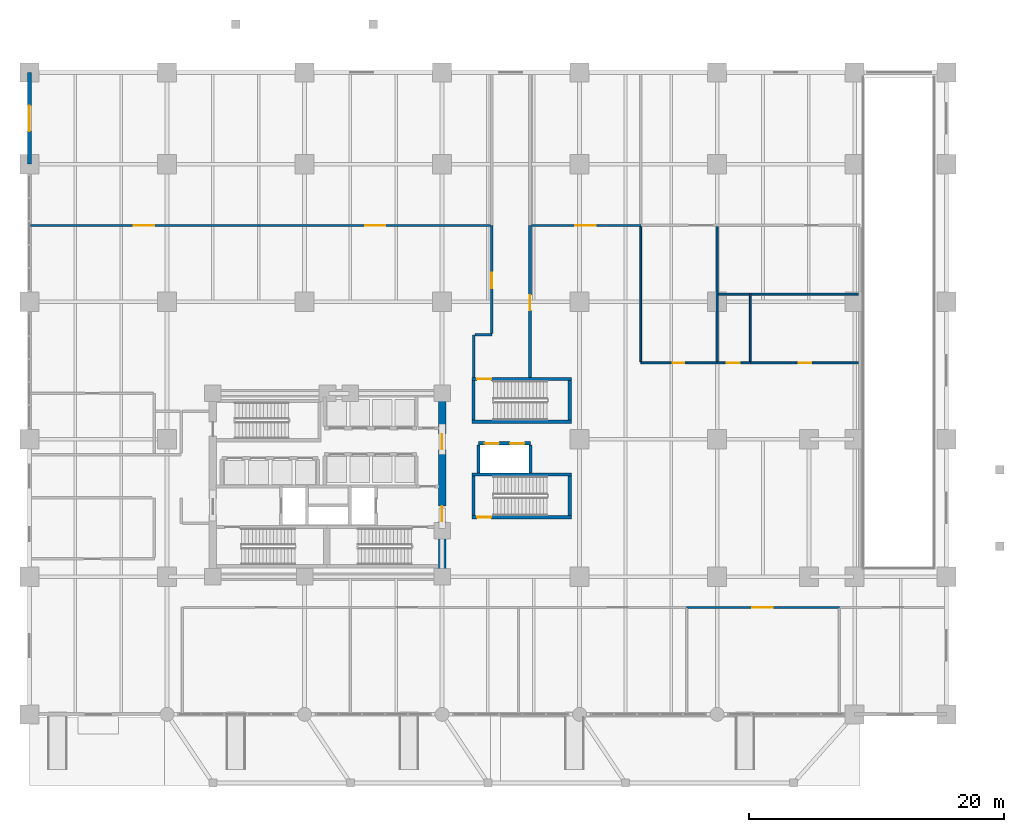
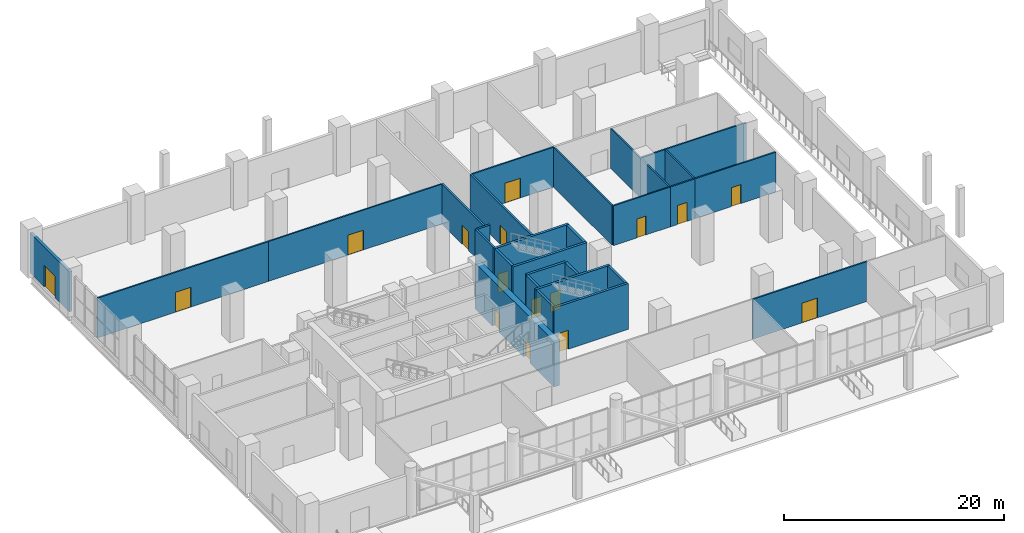
# One storey, part 15 of 22: 28 walls, 16 doors, 16 openings.
"""IFC4 building model written with IfcOpenShell, lengths in metres."""

from ifc_helpers import new_model, si_unit, direction, frame, frame_2d, origin, place, context, subcontext, project, spatial, rectangle, extrude, material, layer, layer_set, type_object, element, fill, save


model = new_model("IFC4")

# Units and contexts
model_context = context("Model", 3, precision=1e-05, world=origin(), true_north=direction((0.0, 1.0)))
body_context = subcontext(model_context, "Body", "Model", "MODEL_VIEW")
ifc_project = project(units=[si_unit("LENGTHUNIT", "METRE"), si_unit("AREAUNIT", "SQUARE_METRE"), si_unit("VOLUMEUNIT", "CUBIC_METRE"), si_unit("PLANEANGLEUNIT", "RADIAN"), si_unit("MASSUNIT", "GRAM", prefix="KILO")], contexts=[model_context])

# Site, building, storey
site_placement = place(None, origin())
site = spatial("IfcSite", under=ifc_project, at=site_placement, CompositionType="ELEMENT")
building_placement = place(site_placement, origin())
building = spatial("IfcBuilding", under=site, at=building_placement, Name="Solnavia Interchange Tower", CompositionType="ELEMENT")
storey_placement = place(building_placement, origin())
storey = spatial("IfcBuildingStorey", under=building, at=storey_placement, Name="L00", CompositionType="ELEMENT", Elevation=0.0)

# Wall, opening, door
ifc_material_1 = material(Name="Concrete C40/50", Category="concrete")
ifc_layer_1 = layer(ifc_material_1, 0.300048828125)
ifc_layer_set_1 = layer_set([ifc_layer_1], Name="Concrete C40/50")
wall_type_1 = type_object("IfcWallType", Name="Wall-ExtSpandrel-300", PredefinedType="STANDARD", material=ifc_layer_set_1)
wall_1_placement = place(storey_placement, frame((0.0, 43.199951171875, 0.0), z_axis=(0.0, 0.0, 1.0), x_axis=(0.0, 1.0, 0.0)))
wall_1 = element("IfcWall", 1, at=wall_1_placement, inside=storey, type_object=wall_type_1, Name="EXW-L00-WN North-west bus hall wall", PredefinedType="STANDARD", context=body_context, shape_type="SweptSolid", body=[
    extrude(rectangle(XDim=7.199951171875, YDim=0.300048828125, at=frame_2d((3.60009765625, 0.0))), origin(), (0.0, 0.0, 1.0), 4.429931640625),
])
opening_1_placement = place(wall_1_placement, frame((2.60009765625, 0.0, 0.0)))
opening_1 = element("IfcOpeningElement", 2, at=opening_1_placement, cuts=wall_1, Name="Opening EXD-01", PredefinedType="OPENING", context=body_context, shape_type="SweptSolid", body=[
    extrude(rectangle(XDim=2.0, YDim=2.39990234375, at=frame_2d((1.0, 1.199951171875))), frame((0.0, 0.16015625, 0.0), z_axis=(0.0, -1.0, 0.0), x_axis=(1.0, 0.0, 0.0)), (0.0, 0.0, 1.0), 0.320068359375),
])
ifc_material_2 = material(Name="Thermally Broken Aluminium & Laminated Glass", Category="aluminium")
door_type_1 = type_object("IfcDoorType", Name="Door-Entrance-2000x2400", OperationType="DOUBLE_DOOR_SINGLE_SWING", PredefinedType="DOOR", material=ifc_material_2)
door_1_placement = place(opening_1_placement, origin())
door_1 = element("IfcDoor", 3, at=door_1_placement, inside=storey, type_object=door_type_1, Name="EXD-L00-BUSW Bus concourse west entrance door", OperationType="SINGLE_SWING_LEFT", OverallHeight=2.39990234375, OverallWidth=2.0, PredefinedType="DOOR", context=body_context, shape_type="SweptSolid", body=[
    extrude(rectangle(XDim=2.0, YDim=2.39990234375, at=frame_2d((1.0, 1.199951171875))), frame((0.0, 0.02490234375, 0.0), z_axis=(0.0, -1.0, 0.0), x_axis=(1.0, 0.0, 0.0)), (0.0, 0.0, 1.0), 0.050048828125),
])
fill(opening_1, door_1)

ifc_material_3 = material(Name="Gypsum Plasterboard & Steel Stud", Category="steel")
ifc_layer_2 = layer(ifc_material_3, 0.14990234375)
ifc_layer_set_2 = layer_set([ifc_layer_2], Name="Gypsum Plasterboard & Steel Stud")
wall_type_2 = type_object("IfcWallType", Name="Wall-Partition-150", PredefinedType="PARTITIONING", material=ifc_layer_set_2)
wall_2_placement = place(storey_placement, frame((51.60009765625, 8.39990234375, 0.0), z_axis=(0.0, 0.0, 1.0), x_axis=(1.0, 0.0, 0.0)))
wall_2 = element("IfcWall", 4, at=wall_2_placement, inside=storey, type_object=wall_type_2, Name="PTW-L00-08 Interior partition wall", PredefinedType="PARTITIONING", context=body_context, shape_type="SweptSolid", body=[
    extrude(rectangle(XDim=12.0, YDim=0.14990234375, at=frame_2d((6.0, 0.0))), origin(), (0.0, 0.0, 1.0), 4.429931640625),
])
opening_2_placement = place(wall_2_placement, frame((5.159912109375, 0.0, 0.0)))
opening_2 = element("IfcOpeningElement", 5, at=opening_2_placement, cuts=wall_2, Name="Opening DR-08", PredefinedType="OPENING", context=body_context, shape_type="SweptSolid", body=[
    extrude(rectangle(XDim=1.60009765625, YDim=2.199951171875, at=frame_2d((0.800048828125, 1.10009765625))), frame((0.0, 0.0849609375, 0.0), z_axis=(0.0, -1.0, 0.0), x_axis=(1.0, 0.0, 0.0)), (0.0, 0.0, 1.0), 0.169921875),
])
ifc_material_4 = material(Name="Thermally Broken Aluminium & Toughened Glass", Category="aluminium")
door_type_2 = type_object("IfcDoorType", Name="Door-RetailDouble-1600x2200", OperationType="DOUBLE_DOOR_SINGLE_SWING", PredefinedType="DOOR", material=ifc_material_4)
door_2_placement = place(opening_2_placement, origin())
door_2 = element("IfcDoor", 6, at=door_2_placement, inside=storey, type_object=door_type_2, Name="DR-L00-04 Interior room door", OperationType="DOUBLE_DOOR_SINGLE_SWING", OverallHeight=2.199951171875, OverallWidth=1.60009765625, PredefinedType="DOOR", context=body_context, shape_type="SweptSolid", body=[
    extrude(rectangle(XDim=1.60009765625, YDim=2.199951171875, at=frame_2d((0.800048828125, 1.10009765625))), frame((0.0, 0.02490234375, 0.0), z_axis=(0.0, -1.0, 0.0), x_axis=(1.0, 0.0, 0.0)), (0.0, 0.0, 1.0), 0.050048828125),
])
fill(opening_2, door_2)

wall_3_placement = place(storey_placement, frame((0.0, 38.39990234375, 0.0), z_axis=(0.0, 0.0, 1.0), x_axis=(1.0, 0.0, 0.0)))
wall_3 = element("IfcWall", 7, at=wall_3_placement, inside=storey, type_object=wall_type_2, Name="PTW-L00-28 Interior partition wall", PredefinedType="PARTITIONING", context=body_context, shape_type="SweptSolid", body=[
    extrude(rectangle(XDim=18.0, YDim=0.14990234375, at=frame_2d((9.0, 0.0))), origin(), (0.0, 0.0, 1.0), 4.429931640625),
])
opening_3_placement = place(wall_3_placement, frame((8.199951171875, 0.0, 0.0)))
opening_3 = element("IfcOpeningElement", 8, at=opening_3_placement, cuts=wall_3, Name="Opening DR-08", PredefinedType="OPENING", context=body_context, shape_type="SweptSolid", body=[
    extrude(rectangle(XDim=1.60009765625, YDim=2.199951171875, at=frame_2d((0.800048828125, 1.10009765625))), frame((0.0, 0.0849609375, 0.0), z_axis=(0.0, -1.0, 0.0), x_axis=(1.0, 0.0, 0.0)), (0.0, 0.0, 1.0), 0.169921875),
])
door_3_placement = place(opening_3_placement, origin())
door_3 = element("IfcDoor", 9, at=door_3_placement, inside=storey, type_object=door_type_2, Name="DR-L00-10 Interior room door", OperationType="DOUBLE_DOOR_SINGLE_SWING", OverallHeight=2.199951171875, OverallWidth=1.60009765625, PredefinedType="DOOR", context=body_context, shape_type="SweptSolid", body=[
    extrude(rectangle(XDim=1.60009765625, YDim=2.199951171875, at=frame_2d((0.800048828125, 1.10009765625))), frame((0.0, 0.02490234375, 0.0), z_axis=(0.0, -1.0, 0.0), x_axis=(1.0, 0.0, 0.0)), (0.0, 0.0, 1.0), 0.050048828125),
])
fill(opening_3, door_3)

wall_4_placement = place(storey_placement, frame((18.0, 38.39990234375, 0.0), z_axis=(0.0, 0.0, 1.0), x_axis=(1.0, 0.0, 0.0)))
wall_4 = element("IfcWall", 10, at=wall_4_placement, inside=storey, type_object=wall_type_2, Name="PTW-L00-29 Interior partition wall", PredefinedType="PARTITIONING", context=body_context, shape_type="SweptSolid", body=[
    extrude(rectangle(XDim=18.196044921875, YDim=0.14990234375, at=frame_2d((9.09814453125, 0.0))), origin(), (0.0, 0.0, 1.0), 4.429931640625),
])
opening_4_placement = place(wall_4_placement, frame((8.35009765625, 0.0, 0.0)))
opening_4 = element("IfcOpeningElement", 11, at=opening_4_placement, cuts=wall_4, Name="Opening DR-08", PredefinedType="OPENING", context=body_context, shape_type="SweptSolid", body=[
    extrude(rectangle(XDim=1.60009765625, YDim=2.199951171875, at=frame_2d((0.800048828125, 1.10009765625))), frame((0.0, 0.0849609375, 0.0), z_axis=(0.0, -1.0, 0.0), x_axis=(1.0, 0.0, 0.0)), (0.0, 0.0, 1.0), 0.169921875),
])
door_4_placement = place(opening_4_placement, origin())
door_4 = element("IfcDoor", 12, at=door_4_placement, inside=storey, type_object=door_type_2, Name="DR-L00-11 Interior room door", OperationType="DOUBLE_DOOR_SINGLE_SWING", OverallHeight=2.199951171875, OverallWidth=1.60009765625, PredefinedType="DOOR", context=body_context, shape_type="SweptSolid", body=[
    extrude(rectangle(XDim=1.60009765625, YDim=2.199951171875, at=frame_2d((0.800048828125, 1.10009765625))), frame((0.0, 0.02490234375, 0.0), z_axis=(0.0, -1.0, 0.0), x_axis=(1.0, 0.0, 0.0)), (0.0, 0.0, 1.0), 0.050048828125),
])
fill(opening_4, door_4)

wall_5_placement = place(storey_placement, frame((39.404052734375, 38.39990234375, 0.0), z_axis=(0.0, 0.0, 1.0), x_axis=(1.0, 0.0, 0.0)))
wall_5 = element("IfcWall", 13, at=wall_5_placement, inside=storey, type_object=wall_type_2, Name="PTW-L00-30 Interior partition wall", PredefinedType="PARTITIONING", context=body_context, shape_type="SweptSolid", body=[
    extrude(rectangle(XDim=8.595947265625, YDim=0.14990234375, at=frame_2d((4.2978515625, 0.0))), origin(), (0.0, 0.0, 1.0), 4.429931640625),
])
opening_5_placement = place(wall_5_placement, frame((3.446044921875, 0.0, 0.0)))
opening_5 = element("IfcOpeningElement", 14, at=opening_5_placement, cuts=wall_5, Name="Opening DR-08", PredefinedType="OPENING", context=body_context, shape_type="SweptSolid", body=[
    extrude(rectangle(XDim=1.60009765625, YDim=2.199951171875, at=frame_2d((0.800048828125, 1.10009765625))), frame((0.0, 0.0849609375, 0.0), z_axis=(0.0, -1.0, 0.0), x_axis=(1.0, 0.0, 0.0)), (0.0, 0.0, 1.0), 0.169921875),
])
door_5_placement = place(opening_5_placement, origin())
door_5 = element("IfcDoor", 15, at=door_5_placement, inside=storey, type_object=door_type_2, Name="DR-L00-12 Interior room door", OperationType="DOUBLE_DOOR_SINGLE_SWING", OverallHeight=2.199951171875, OverallWidth=1.60009765625, PredefinedType="DOOR", context=body_context, shape_type="SweptSolid", body=[
    extrude(rectangle(XDim=1.60009765625, YDim=2.199951171875, at=frame_2d((0.800048828125, 1.10009765625))), frame((0.0, 0.02490234375, 0.0), z_axis=(0.0, -1.0, 0.0), x_axis=(1.0, 0.0, 0.0)), (0.0, 0.0, 1.0), 0.050048828125),
])
fill(opening_5, door_5)

wall_6_placement = place(storey_placement, frame((56.60009765625, 27.60009765625, 0.0), z_axis=(0.0, 0.0, 1.0), x_axis=(1.0, 0.0, 0.0)))
wall_6 = element("IfcWall", 16, at=wall_6_placement, inside=storey, type_object=wall_type_2, Name="PTW-L00-37 Interior partition wall", PredefinedType="PARTITIONING", context=body_context, shape_type="SweptSolid", body=[
    extrude(rectangle(XDim=8.495849609375, YDim=0.14990234375, at=frame_2d((4.248046875, 0.0))), origin(), (0.0, 0.0, 1.0), 4.429931640625),
])
opening_6_placement = place(wall_6_placement, frame((3.800048828125, 0.0, 0.0)))
opening_6 = element("IfcOpeningElement", 17, at=opening_6_placement, cuts=wall_6, Name="Opening DR-07", PredefinedType="OPENING", context=body_context, shape_type="SweptSolid", body=[
    extrude(rectangle(XDim=1.0, YDim=2.10009765625, at=frame_2d((0.5, 1.050048828125))), frame((0.0, 0.0849609375, 0.0), z_axis=(0.0, -1.0, 0.0), x_axis=(1.0, 0.0, 0.0)), (0.0, 0.0, 1.0), 0.169921875),
])
ifc_material_5 = material(Name="Timber & Acoustic Glazed Office Door", Category="wood")
door_type_3 = type_object("IfcDoorType", Name="Door-Office-1000x2100", OperationType="SINGLE_SWING_RIGHT", PredefinedType="DOOR", material=ifc_material_5)
door_6_placement = place(opening_6_placement, origin())
door_6 = element("IfcDoor", 18, at=door_6_placement, inside=storey, type_object=door_type_3, Name="DR-L00-17 Interior room door", OperationType="SINGLE_SWING_LEFT", OverallHeight=2.10009765625, OverallWidth=1.0, PredefinedType="DOOR", context=body_context, shape_type="SweptSolid", body=[
    extrude(rectangle(XDim=1.0, YDim=2.10009765625, at=frame_2d((0.5, 1.050048828125))), frame((0.0, 0.02490234375, 0.0), z_axis=(0.0, -1.0, 0.0), x_axis=(1.0, 0.0, 0.0)), (0.0, 0.0, 1.0), 0.050048828125),
])
fill(opening_6, door_6)

# Walls
wall_7_placement = place(storey_placement, frame((54.0791015625, 33.0, 0.0), z_axis=(0.0, 0.0, 1.0), x_axis=(1.0, 0.0, 0.0)))
element("IfcWall", 19, at=wall_7_placement, inside=storey, type_object=wall_type_2, Name="PTW-L00-41 Interior partition wall", PredefinedType="PARTITIONING", context=body_context, shape_type="SweptSolid", body=[
    extrude(rectangle(XDim=11.016845703125, YDim=0.14990234375, at=frame_2d((5.50830078125, 0.0))), origin(), (0.0, 0.0, 1.0), 4.429931640625),
])
ifc_layer_3 = layer(ifc_material_1, 0.199951171875)
ifc_layer_set_3 = layer_set([ifc_layer_3], Name="Concrete C40/50")
wall_type_3 = type_object("IfcWallType", Name="Wall-PlantFire-200", PredefinedType="PARTITIONING", material=ifc_layer_set_3)
wall_8_placement = place(storey_placement, frame((34.875, 26.4541015625, 0.0), z_axis=(0.0, 0.0, 1.0), x_axis=(0.0, 1.0, 0.0)))
element("IfcWall", 20, at=wall_8_placement, inside=storey, type_object=wall_type_3, Name="PTW-L00-22 Interior partition wall", PredefinedType="PARTITIONING", context=body_context, shape_type="SweptSolid", body=[
    extrude(rectangle(XDim=3.345947265625, YDim=0.199951171875, at=frame_2d((1.6728515625, 0.0))), origin(), (0.0, 0.0, 1.0), 5.0849609375),
])
wall_9_placement = place(storey_placement, frame((34.97900390625, 29.800048828125, 0.0), z_axis=(0.0, 0.0, 1.0), x_axis=(1.0, 0.0, 0.0)))
element("IfcWall", 21, at=wall_9_placement, inside=storey, type_object=wall_type_3, Name="PTW-L00-23 Interior partition wall", PredefinedType="PARTITIONING", context=body_context, shape_type="SweptSolid", body=[
    extrude(rectangle(XDim=1.321044921875, YDim=0.199951171875, at=frame_2d((0.66064453125, 0.0))), origin(), (0.0, 0.0, 1.0), 5.0849609375),
])

# Wall, opening, door
wall_10_placement = place(storey_placement, frame((36.300048828125, 29.904052734375, 0.0), z_axis=(0.0, 0.0, 1.0), x_axis=(0.0, 1.0, 0.0)))
wall_10 = element("IfcWall", 22, at=wall_10_placement, inside=storey, type_object=wall_type_3, Name="PTW-L00-24 Interior partition wall", PredefinedType="PARTITIONING", context=body_context, shape_type="SweptSolid", body=[
    extrude(rectangle(XDim=8.495849609375, YDim=0.199951171875, at=frame_2d((4.248046875, 0.0))), origin(), (0.0, 0.0, 1.0), 4.429931640625),
])
opening_7_placement = place(wall_10_placement, frame((3.555908203125, 0.0, 0.0)))
opening_7 = element("IfcOpeningElement", 23, at=opening_7_placement, cuts=wall_10, Name="Opening DR-02", PredefinedType="OPENING", context=body_context, shape_type="SweptSolid", body=[
    extrude(rectangle(XDim=1.199951171875, YDim=2.10009765625, at=frame_2d((0.60009765625, 1.050048828125))), frame((0.0, 0.10986328125, 0.0), z_axis=(0.0, -1.0, 0.0), x_axis=(1.0, 0.0, 0.0)), (0.0, 0.0, 1.0), 0.219970703125),
])
ifc_material_6 = material(Name="Steel Fire-Rated Vision-Panel Door", Category="steel")
door_type_4 = type_object("IfcDoorType", Name="Door-LobbyFire-1200x2100", OperationType="SINGLE_SWING_RIGHT", PredefinedType="DOOR", material=ifc_material_6)
door_7_placement = place(opening_7_placement, origin())
door_7 = element("IfcDoor", 24, at=door_7_placement, inside=storey, type_object=door_type_4, Name="DR-L00-08 Interior room door", OperationType="SINGLE_SWING_RIGHT", OverallHeight=2.10009765625, OverallWidth=1.199951171875, PredefinedType="DOOR", context=body_context, shape_type="SweptSolid", body=[
    extrude(rectangle(XDim=1.199951171875, YDim=2.10009765625, at=frame_2d((0.60009765625, 1.050048828125))), frame((0.0, 0.02490234375, 0.0), z_axis=(0.0, -1.0, 0.0), x_axis=(1.0, 0.0, 0.0)), (0.0, 0.0, 1.0), 0.050048828125),
])
fill(opening_7, door_7)

wall_11_placement = place(storey_placement, frame((39.300048828125, 26.4541015625, 0.0), z_axis=(0.0, 0.0, 1.0), x_axis=(0.0, 1.0, 0.0)))
wall_11 = element("IfcWall", 25, at=wall_11_placement, inside=storey, type_object=wall_type_3, Name="PTW-L00-26 Interior partition wall", PredefinedType="PARTITIONING", context=body_context, shape_type="SweptSolid", body=[
    extrude(rectangle(XDim=11.94580078125, YDim=0.199951171875, at=frame_2d((5.972900390625, 0.0))), origin(), (0.0, 0.0, 1.0), 4.429931640625),
])
opening_8_placement = place(wall_11_placement, frame((5.26904296875, 0.0, 0.0)))
opening_8 = element("IfcOpeningElement", 26, at=opening_8_placement, cuts=wall_11, Name="Opening DR-02", PredefinedType="OPENING", context=body_context, shape_type="SweptSolid", body=[
    extrude(rectangle(XDim=1.199951171875, YDim=2.10009765625, at=frame_2d((0.60009765625, 1.050048828125))), frame((0.0, 0.10986328125, 0.0), z_axis=(0.0, -1.0, 0.0), x_axis=(1.0, 0.0, 0.0)), (0.0, 0.0, 1.0), 0.219970703125),
])
door_8_placement = place(opening_8_placement, origin())
door_8 = element("IfcDoor", 27, at=door_8_placement, inside=storey, type_object=door_type_4, Name="DR-L00-09 Interior room door", OperationType="SINGLE_SWING_RIGHT", OverallHeight=2.10009765625, OverallWidth=1.199951171875, PredefinedType="DOOR", context=body_context, shape_type="SweptSolid", body=[
    extrude(rectangle(XDim=1.199951171875, YDim=2.10009765625, at=frame_2d((0.60009765625, 1.050048828125))), frame((0.0, 0.02490234375, 0.0), z_axis=(0.0, -1.0, 0.0), x_axis=(1.0, 0.0, 0.0)), (0.0, 0.0, 1.0), 0.050048828125),
])
fill(opening_8, door_8)

ifc_layer_4 = layer(ifc_material_1, 0.25)
ifc_layer_set_4 = layer_set([ifc_layer_4], Name="Concrete C40/50")
wall_type_4 = type_object("IfcWallType", Name="Wall-ShaftCore-250", PredefinedType="SHEAR", material=ifc_layer_set_4)
wall_12_placement = place(storey_placement, frame((34.75, 15.47509765625, 0.0), z_axis=(0.0, 0.0, 1.0), x_axis=(1.0, 0.0, 0.0)))
wall_12 = element("IfcWall", 28, at=wall_12_placement, inside=storey, type_object=wall_type_4, Name="SHW-L00-STP1S Core shear wall", PredefinedType="SHEAR", context=body_context, shape_type="SweptSolid", body=[
    extrude(rectangle(XDim=7.800048828125, YDim=0.25, at=frame_2d((3.89990234375, 0.0))), origin(), (0.0, 0.0, 1.0), 5.10009765625),
])
opening_9_placement = place(wall_12_placement, frame((0.405029296875, 0.0, 0.0)))
opening_9 = element("IfcOpeningElement", 29, at=opening_9_placement, cuts=wall_12, Name="Opening DR-01", PredefinedType="OPENING", context=body_context, shape_type="SweptSolid", body=[
    extrude(rectangle(XDim=1.10009765625, YDim=2.10009765625, at=frame_2d((0.550048828125, 1.050048828125))), frame((0.0, 0.135009765625, 0.0), z_axis=(0.0, -1.0, 0.0), x_axis=(1.0, 0.0, 0.0)), (0.0, 0.0, 1.0), 0.27001953125),
])
ifc_material_7 = material(Name="Steel Fire-Rated Leaf & Frame", Category="steel")
door_type_5 = type_object("IfcDoorType", Name="Door-StairFire-1100x2100", OperationType="SINGLE_SWING_LEFT", PredefinedType="DOOR", material=ifc_material_7)
door_9_placement = place(opening_9_placement, origin())
door_9 = element("IfcDoor", 30, at=door_9_placement, inside=storey, type_object=door_type_5, Name="DR-L00-STP1 Core fire door", OperationType="SINGLE_SWING_LEFT", OverallHeight=2.10009765625, OverallWidth=1.10009765625, PredefinedType="DOOR", context=body_context, shape_type="SweptSolid", body=[
    extrude(rectangle(XDim=1.10009765625, YDim=2.10009765625, at=frame_2d((0.550048828125, 1.050048828125))), frame((0.0, 0.02490234375, 0.0), z_axis=(0.0, -1.0, 0.0), x_axis=(1.0, 0.0, 0.0)), (0.0, 0.0, 1.0), 0.050048828125),
])
fill(opening_9, door_9)

# Walls
wall_13_placement = place(storey_placement, frame((34.75, 18.824951171875, 0.0), z_axis=(0.0, 0.0, 1.0), x_axis=(1.0, 0.0, 0.0)))
element("IfcWall", 31, at=wall_13_placement, inside=storey, type_object=wall_type_4, Name="SHW-L00-STP1N Core shear wall", PredefinedType="SHEAR", context=body_context, shape_type="SweptSolid", body=[
    extrude(rectangle(XDim=7.800048828125, YDim=0.25, at=frame_2d((3.89990234375, 0.0))), origin(), (0.0, 0.0, 1.0), 5.10009765625),
])
for number, where, z_axis, x_axis, name in (
    (32, (34.875, 15.60009765625, 0.0), (0.0, 0.0, 1.0), (0.0, 1.0, 0.0), "SHW-L00-STP1W Core shear wall"),
    (33, (42.425048828125, 15.60009765625, 0.0), (0.0, 0.0, 1.0), (0.0, 1.0, 0.0), "SHW-L00-STP1E Core shear wall"),
):
    element("IfcWall", number, at=place(storey_placement, frame(where, z_axis=z_axis, x_axis=x_axis)), inside=storey, type_object=wall_type_4, Name=name, PredefinedType="SHEAR", context=body_context, shape_type="SweptSolid", body=[
        extrude(rectangle(XDim=3.099853515625, YDim=0.25, at=frame_2d((1.5498046875, 0.0))), origin(), (0.0, 0.0, 1.0), 5.10009765625),
    ])
wall_14_placement = place(storey_placement, frame((34.75, 22.97509765625, 0.0), z_axis=(0.0, 0.0, 1.0), x_axis=(1.0, 0.0, 0.0)))
element("IfcWall", 34, at=wall_14_placement, inside=storey, type_object=wall_type_4, Name="SHW-L00-STP2S Core shear wall", PredefinedType="SHEAR", context=body_context, shape_type="SweptSolid", body=[
    extrude(rectangle(XDim=7.800048828125, YDim=0.25, at=frame_2d((3.89990234375, 0.0))), origin(), (0.0, 0.0, 1.0), 5.10009765625),
])

# Wall, opening, door
wall_15_placement = place(storey_placement, frame((34.75, 26.324951171875, 0.0), z_axis=(0.0, 0.0, 1.0), x_axis=(1.0, 0.0, 0.0)))
wall_15 = element("IfcWall", 35, at=wall_15_placement, inside=storey, type_object=wall_type_4, Name="SHW-L00-STP2N Core shear wall", PredefinedType="SHEAR", context=body_context, shape_type="SweptSolid", body=[
    extrude(rectangle(XDim=7.800048828125, YDim=0.25, at=frame_2d((3.89990234375, 0.0))), origin(), (0.0, 0.0, 1.0), 5.10009765625),
])
opening_10_placement = place(wall_15_placement, frame((0.405029296875, 0.0, 0.0)))
opening_10 = element("IfcOpeningElement", 36, at=opening_10_placement, cuts=wall_15, Name="Opening DR-01", PredefinedType="OPENING", context=body_context, shape_type="SweptSolid", body=[
    extrude(rectangle(XDim=1.10009765625, YDim=2.10009765625, at=frame_2d((0.550048828125, 1.050048828125))), frame((0.0, 0.135009765625, 0.0), z_axis=(0.0, -1.0, 0.0), x_axis=(1.0, 0.0, 0.0)), (0.0, 0.0, 1.0), 0.27001953125),
])
door_10_placement = place(opening_10_placement, origin())
door_10 = element("IfcDoor", 37, at=door_10_placement, inside=storey, type_object=door_type_5, Name="DR-L00-STP2 Core fire door", OperationType="SINGLE_SWING_RIGHT", OverallHeight=2.10009765625, OverallWidth=1.10009765625, PredefinedType="DOOR", context=body_context, shape_type="SweptSolid", body=[
    extrude(rectangle(XDim=1.10009765625, YDim=2.10009765625, at=frame_2d((0.550048828125, 1.050048828125))), frame((0.0, 0.02490234375, 0.0), z_axis=(0.0, -1.0, 0.0), x_axis=(1.0, 0.0, 0.0)), (0.0, 0.0, 1.0), 0.050048828125),
])
fill(opening_10, door_10)

# Walls
for number, where, z_axis, x_axis, name in (
    (38, (34.875, 23.10009765625, 0.0), (0.0, 0.0, 1.0), (0.0, 1.0, 0.0), "SHW-L00-STP2W Core shear wall"),
    (39, (42.425048828125, 23.10009765625, 0.0), (0.0, 0.0, 1.0), (0.0, 1.0, 0.0), "SHW-L00-STP2E Core shear wall"),
):
    element("IfcWall", number, at=place(storey_placement, frame(where, z_axis=z_axis, x_axis=x_axis)), inside=storey, type_object=wall_type_4, Name=name, PredefinedType="SHEAR", context=body_context, shape_type="SweptSolid", body=[
        extrude(rectangle(XDim=3.099853515625, YDim=0.25, at=frame_2d((1.5498046875, 0.0))), origin(), (0.0, 0.0, 1.0), 5.10009765625),
    ])

# Wall, openings, doors
ifc_layer_5 = layer(ifc_material_1, 0.25)
ifc_layer_set_5 = layer_set([ifc_layer_5], Name="Concrete C40/50")
wall_type_5 = type_object("IfcWallType", Name="Wall-ShaftPart-250", PredefinedType="PARTITIONING", material=ifc_layer_set_5)
wall_16_placement = place(storey_placement, frame((35.25, 21.280029296875, 0.0), z_axis=(0.0, 0.0, 1.0), x_axis=(1.0, 0.0, 0.0)))
wall_16 = element("IfcWall", 40, at=wall_16_placement, inside=storey, type_object=wall_type_5, Name="SHW-L00-PLN Core shaft wall", PredefinedType="PARTITIONING", context=body_context, shape_type="SweptSolid", body=[
    extrude(rectangle(XDim=4.10009765625, YDim=0.25, at=frame_2d((2.050048828125, 0.0))), origin(), (0.0, 0.0, 1.0), 5.0849609375),
])
opening_11_placement = place(wall_16_placement, frame((0.5, 0.0, 0.0)))
opening_11 = element("IfcOpeningElement", 41, at=opening_11_placement, cuts=wall_16, Name="Opening LD-01", PredefinedType="OPENING", context=body_context, shape_type="SweptSolid", body=[
    extrude(rectangle(XDim=1.10009765625, YDim=2.10009765625, at=frame_2d((0.550048828125, 1.050048828125))), frame((0.0, 0.135009765625, 0.0), z_axis=(0.0, -1.0, 0.0), x_axis=(1.0, 0.0, 0.0)), (0.0, 0.0, 1.0), 0.27001953125),
])
opening_12_placement = place(wall_16_placement, frame((2.5, 0.0, 0.0)))
opening_12 = element("IfcOpeningElement", 42, at=opening_12_placement, cuts=wall_16, Name="Opening LD-01", PredefinedType="OPENING", context=body_context, shape_type="SweptSolid", body=[
    extrude(rectangle(XDim=1.10009765625, YDim=2.10009765625, at=frame_2d((0.550048828125, 1.050048828125))), frame((0.0, 0.135009765625, 0.0), z_axis=(0.0, -1.0, 0.0), x_axis=(1.0, 0.0, 0.0)), (0.0, 0.0, 1.0), 0.27001953125),
])
ifc_material_8 = material(Name="Brushed Stainless Steel Sliding Door", Category="steel")
door_type_6 = type_object("IfcDoorType", Name="Door-LiftLanding-1100x2100", OperationType="SLIDING_TO_LEFT", PredefinedType="DOOR", material=ifc_material_8)
door_11_placement = place(opening_11_placement, origin())
door_11 = element("IfcDoor", 43, at=door_11_placement, inside=storey, type_object=door_type_6, Name="LD-L00-PL-1 Lift landing sliding door", OperationType="SLIDING_TO_LEFT", OverallHeight=2.10009765625, OverallWidth=1.10009765625, PredefinedType="DOOR", context=body_context, shape_type="SweptSolid", body=[
    extrude(rectangle(XDim=1.10009765625, YDim=2.10009765625, at=frame_2d((0.550048828125, 1.050048828125))), frame((0.0, 0.02490234375, 0.0), z_axis=(0.0, -1.0, 0.0), x_axis=(1.0, 0.0, 0.0)), (0.0, 0.0, 1.0), 0.050048828125),
])
fill(opening_11, door_11)
door_12_placement = place(opening_12_placement, origin())
door_12 = element("IfcDoor", 44, at=door_12_placement, inside=storey, type_object=door_type_6, Name="LD-L00-PL-2 Lift landing sliding door", OperationType="SLIDING_TO_LEFT", OverallHeight=2.10009765625, OverallWidth=1.10009765625, PredefinedType="DOOR", context=body_context, shape_type="SweptSolid", body=[
    extrude(rectangle(XDim=1.10009765625, YDim=2.10009765625, at=frame_2d((0.550048828125, 1.050048828125))), frame((0.0, 0.02490234375, 0.0), z_axis=(0.0, -1.0, 0.0), x_axis=(1.0, 0.0, 0.0)), (0.0, 0.0, 1.0), 0.050048828125),
])
fill(opening_12, door_12)

# Walls
for number, where, z_axis, x_axis, name in (
    (45, (35.25, 18.949951171875, 0.0), (0.0, 0.0, 1.0), (0.0, 1.0, 0.0), "SHW-L00-PLW Core shaft wall"),
    (46, (39.35009765625, 18.949951171875, 0.0), (0.0, 0.0, 1.0), (0.0, 1.0, 0.0), "SHW-L00-PLE Core shaft wall"),
):
    element("IfcWall", number, at=place(storey_placement, frame(where, z_axis=z_axis, x_axis=x_axis)), inside=storey, type_object=wall_type_5, Name=name, PredefinedType="PARTITIONING", context=body_context, shape_type="SweptSolid", body=[
        extrude(rectangle(XDim=2.205078125, YDim=0.25, at=frame_2d((1.1025390625, 0.0))), origin(), (0.0, 0.0, 1.0), 5.0849609375),
    ])

# Wall, openings, doors
ifc_material_9 = material(Name="Concrete C60/75", Category="concrete")
ifc_layer_6 = layer(ifc_material_9, 0.60009765625)
ifc_layer_set_6 = layer_set([ifc_layer_6], Name="Concrete C60/75")
wall_type_6 = type_object("IfcWallType", Name="Wall-ShearCore-600", PredefinedType="SHEAR", material=ifc_layer_set_6)
wall_17_placement = place(storey_placement, frame((32.39990234375, 10.800048828125, 0.0), z_axis=(0.0, 0.0, 1.0), x_axis=(0.0, 1.0, 0.0)))
wall_17 = element("IfcWall", 47, at=wall_17_placement, inside=storey, type_object=wall_type_6, Name="CRW-L00-E Core shear wall", PredefinedType="SHEAR", context=body_context, shape_type="SweptSolid", body=[
    extrude(rectangle(XDim=14.39990234375, YDim=0.60009765625, at=frame_2d((7.199951171875, 0.0))), origin(), (0.0, 0.0, 1.0), 5.10009765625),
])
opening_13_placement = place(wall_17_placement, frame((4.35009765625, 0.0, 0.0)))
opening_13 = element("IfcOpeningElement", 48, at=opening_13_placement, cuts=wall_17, Name="Opening DR-02", PredefinedType="OPENING", context=body_context, shape_type="SweptSolid", body=[
    extrude(rectangle(XDim=1.199951171875, YDim=2.10009765625, at=frame_2d((0.60009765625, 1.050048828125))), frame((0.0, 0.31005859375, 0.0), z_axis=(0.0, -1.0, 0.0), x_axis=(1.0, 0.0, 0.0)), (0.0, 0.0, 1.0), 0.6201171875),
])
opening_14_placement = place(wall_17_placement, frame((10.0, 0.0, 0.0)))
opening_14 = element("IfcOpeningElement", 49, at=opening_14_placement, cuts=wall_17, Name="Opening DR-02", PredefinedType="OPENING", context=body_context, shape_type="SweptSolid", body=[
    extrude(rectangle(XDim=1.199951171875, YDim=2.10009765625, at=frame_2d((0.60009765625, 1.050048828125))), frame((0.0, 0.31005859375, 0.0), z_axis=(0.0, -1.0, 0.0), x_axis=(1.0, 0.0, 0.0)), (0.0, 0.0, 1.0), 0.6201171875),
])
door_13_placement = place(opening_13_placement, origin())
door_13 = element("IfcDoor", 50, at=door_13_placement, inside=storey, type_object=door_type_4, Name="DR-L00-FFL2E Core fire door", OperationType="SINGLE_SWING_LEFT", OverallHeight=2.10009765625, OverallWidth=1.199951171875, PredefinedType="DOOR", context=body_context, shape_type="SweptSolid", body=[
    extrude(rectangle(XDim=1.199951171875, YDim=2.10009765625, at=frame_2d((0.60009765625, 1.050048828125))), frame((0.0, 0.02490234375, 0.0), z_axis=(0.0, -1.0, 0.0), x_axis=(1.0, 0.0, 0.0)), (0.0, 0.0, 1.0), 0.050048828125),
])
fill(opening_13, door_13)
door_14_placement = place(opening_14_placement, origin())
door_14 = element("IfcDoor", 51, at=door_14_placement, inside=storey, type_object=door_type_4, Name="DR-L00-LLE Core fire door", OperationType="SINGLE_SWING_RIGHT", OverallHeight=2.10009765625, OverallWidth=1.199951171875, PredefinedType="DOOR", context=body_context, shape_type="SweptSolid", body=[
    extrude(rectangle(XDim=1.199951171875, YDim=2.10009765625, at=frame_2d((0.60009765625, 1.050048828125))), frame((0.0, 0.02490234375, 0.0), z_axis=(0.0, -1.0, 0.0), x_axis=(1.0, 0.0, 0.0)), (0.0, 0.0, 1.0), 0.050048828125),
])
fill(opening_14, door_14)

# Wall, opening, door
ifc_material_10 = material(Name="Moisture-Resistant Gypsum & Steel Stud", Category="steel")
ifc_layer_7 = layer(ifc_material_10, 0.14990234375)
ifc_layer_set_7 = layer_set([ifc_layer_7], Name="Moisture-Resistant Gypsum & Steel Stud")
wall_type_7 = type_object("IfcWallType", Name="Wall-WetRoom-150", PredefinedType="PARTITIONING", material=ifc_layer_set_7)
wall_18_placement = place(storey_placement, frame((48.0, 27.60009765625, 0.0), z_axis=(0.0, 0.0, 1.0), x_axis=(1.0, 0.0, 0.0)))
wall_18 = element("IfcWall", 52, at=wall_18_placement, inside=storey, type_object=wall_type_7, Name="PTW-L00-35 Interior partition wall", PredefinedType="PARTITIONING", context=body_context, shape_type="SweptSolid", body=[
    extrude(rectangle(XDim=6.0, YDim=0.14990234375, at=frame_2d((3.0, 0.0))), origin(), (0.0, 0.0, 1.0), 4.429931640625),
])
opening_15_placement = place(wall_18_placement, frame((2.510986328125, 0.0, 0.0)))
opening_15 = element("IfcOpeningElement", 53, at=opening_15_placement, cuts=wall_18, Name="Opening DR-09", PredefinedType="OPENING", context=body_context, shape_type="SweptSolid", body=[
    extrude(rectangle(XDim=0.89990234375, YDim=2.10009765625, at=frame_2d((0.449951171875, 1.050048828125))), frame((0.0, 0.0849609375, 0.0), z_axis=(0.0, -1.0, 0.0), x_axis=(1.0, 0.0, 0.0)), (0.0, 0.0, 1.0), 0.169921875),
])
ifc_material_11 = material(Name="Engineered Oak Veneer Door", Category="wood")
door_type_7 = type_object("IfcDoorType", Name="Door-Internal-900x2100", OperationType="SINGLE_SWING_LEFT", PredefinedType="DOOR", material=ifc_material_11)
door_15_placement = place(opening_15_placement, origin())
door_15 = element("IfcDoor", 54, at=door_15_placement, inside=storey, type_object=door_type_7, Name="DR-L00-15 Interior room door", OperationType="SINGLE_SWING_LEFT", OverallHeight=2.10009765625, OverallWidth=0.89990234375, PredefinedType="DOOR", context=body_context, shape_type="SweptSolid", body=[
    extrude(rectangle(XDim=0.89990234375, YDim=2.10009765625, at=frame_2d((0.449951171875, 1.050048828125))), frame((0.0, 0.02490234375, 0.0), z_axis=(0.0, -1.0, 0.0), x_axis=(1.0, 0.0, 0.0)), (0.0, 0.0, 1.0), 0.050048828125),
])
fill(opening_15, door_15)

wall_19_placement = place(storey_placement, frame((54.0, 27.60009765625, 0.0), z_axis=(0.0, 0.0, 1.0), x_axis=(1.0, 0.0, 0.0)))
wall_19 = element("IfcWall", 55, at=wall_19_placement, inside=storey, type_object=wall_type_7, Name="PTW-L00-36 Interior partition wall", PredefinedType="PARTITIONING", context=body_context, shape_type="SweptSolid", body=[
    extrude(rectangle(XDim=2.60009765625, YDim=0.14990234375, at=frame_2d((1.300048828125, 0.0))), origin(), (0.0, 0.0, 1.0), 4.429931640625),
])
opening_16_placement = place(wall_19_placement, frame((0.76806640625, 0.0, 0.0)))
opening_16 = element("IfcOpeningElement", 56, at=opening_16_placement, cuts=wall_19, Name="Opening DR-07", PredefinedType="OPENING", context=body_context, shape_type="SweptSolid", body=[
    extrude(rectangle(XDim=1.0, YDim=2.10009765625, at=frame_2d((0.5, 1.050048828125))), frame((0.0, 0.0849609375, 0.0), z_axis=(0.0, -1.0, 0.0), x_axis=(1.0, 0.0, 0.0)), (0.0, 0.0, 1.0), 0.169921875),
])
door_16_placement = place(opening_16_placement, origin())
door_16 = element("IfcDoor", 57, at=door_16_placement, inside=storey, type_object=door_type_3, Name="DR-L00-16 Interior room door", OperationType="SINGLE_SWING_RIGHT", OverallHeight=2.10009765625, OverallWidth=1.0, PredefinedType="DOOR", context=body_context, shape_type="SweptSolid", body=[
    extrude(rectangle(XDim=1.0, YDim=2.10009765625, at=frame_2d((0.5, 1.050048828125))), frame((0.0, 0.02490234375, 0.0), z_axis=(0.0, -1.0, 0.0), x_axis=(1.0, 0.0, 0.0)), (0.0, 0.0, 1.0), 0.050048828125),
])
fill(opening_16, door_16)

# Walls
for number, where, z_axis, x_axis, name in (
    (58, (48.0, 27.678955078125, 0.0), (0.0, 0.0, 1.0), (0.0, 1.0, 0.0), "PTW-L00-38 Interior partition wall"),
    (59, (54.0, 27.678955078125, 0.0), (0.0, 0.0, 1.0), (0.0, 1.0, 0.0), "PTW-L00-39 Interior partition wall"),
):
    element("IfcWall", number, at=place(storey_placement, frame(where, z_axis=z_axis, x_axis=x_axis)), inside=storey, type_object=wall_type_7, Name=name, PredefinedType="PARTITIONING", context=body_context, shape_type="SweptSolid", body=[
        extrude(rectangle(XDim=10.616943359375, YDim=0.14990234375, at=frame_2d((5.30859375, 0.0))), origin(), (0.0, 0.0, 1.0), 4.429931640625),
    ])
wall_20_placement = place(storey_placement, frame((56.60009765625, 27.678955078125, 0.0), z_axis=(0.0, 0.0, 1.0), x_axis=(0.0, 1.0, 0.0)))
element("IfcWall", 60, at=wall_20_placement, inside=storey, type_object=wall_type_7, Name="PTW-L00-40 Interior partition wall", PredefinedType="PARTITIONING", context=body_context, shape_type="SweptSolid", body=[
    extrude(rectangle(XDim=5.321044921875, YDim=0.14990234375, at=frame_2d((2.66064453125, 0.0))), origin(), (0.0, 0.0, 1.0), 4.429931640625),
])

save(model, "model.ifc")
